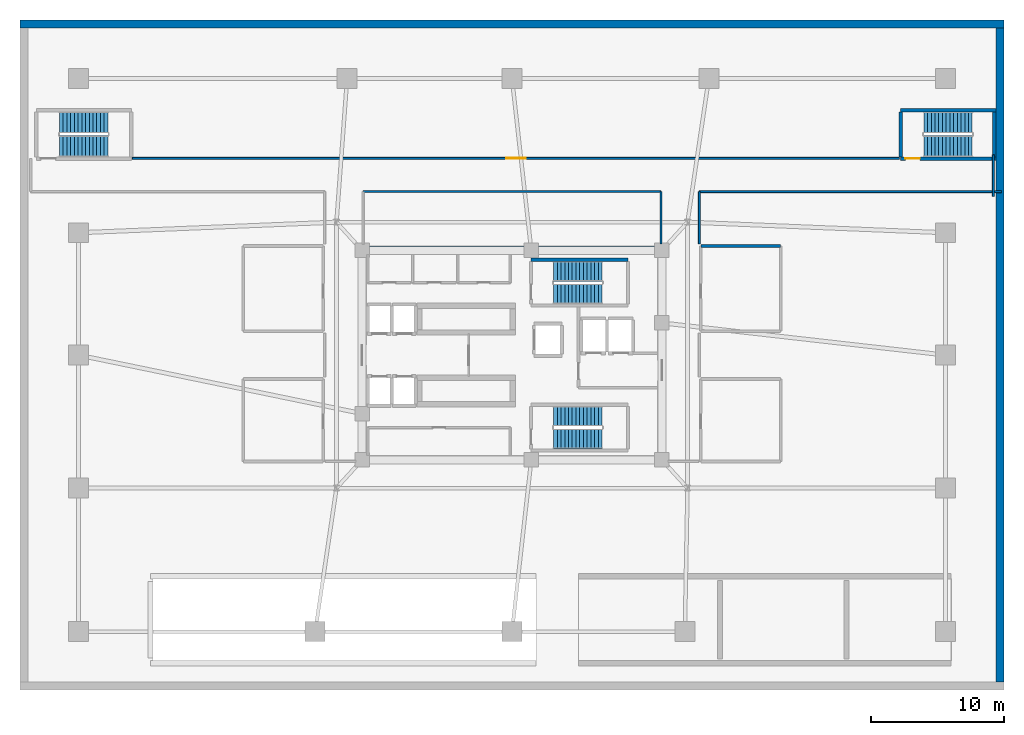
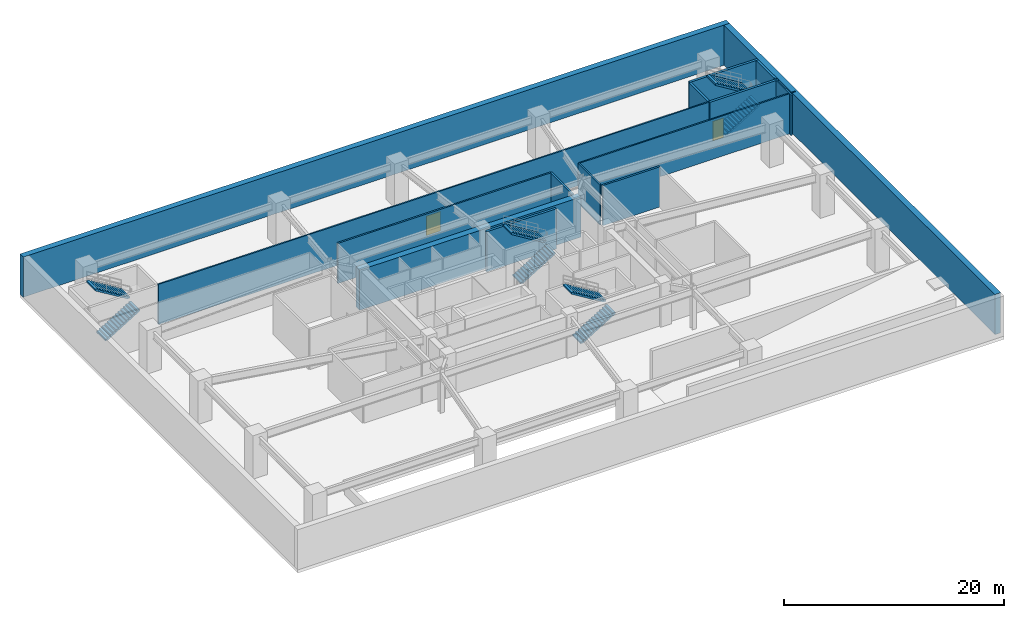
# One storey, part 5 of 7: 15 walls, 8 stair flights, 2 doors, 2 openings, 4 elements without a shape of their own.
"""IFC4 building model written with IfcOpenShell, lengths in metres."""

from ifc_helpers import new_model, si_unit, direction, frame, frame_2d, origin, place, context, subcontext, project, spatial, polyline, rectangle, outline, extrude, material, layer, layer_set, type_object, element, fill, aggregate, save


model = new_model("IFC4")

# Units and contexts
model_context = context("Model", 3, precision=1e-05, world=origin(), true_north=direction((0.0, 1.0)))
body_context = subcontext(model_context, "Body", "Model", "MODEL_VIEW")
ifc_project = project(units=[si_unit("LENGTHUNIT", "METRE"), si_unit("AREAUNIT", "SQUARE_METRE"), si_unit("VOLUMEUNIT", "CUBIC_METRE"), si_unit("PLANEANGLEUNIT", "RADIAN"), si_unit("MASSUNIT", "GRAM", prefix="KILO")], contexts=[model_context])

# Site, building, storey
site_placement = place(None, origin())
site = spatial("IfcSite", under=ifc_project, at=site_placement, CompositionType="ELEMENT")
building_placement = place(site_placement, origin())
building = spatial("IfcBuilding", under=site, at=building_placement, Name="Zulverin Broadcast Headquarters", CompositionType="ELEMENT")
storey_placement = place(building_placement, frame((0.0, 0.0, -4.800048828125)))
storey = spatial("IfcBuildingStorey", under=building, at=storey_placement, Name="B1", CompositionType="ELEMENT", Elevation=-4.800048828125)

# Walls
ifc_material_1 = material(Name="Concrete C60/75", Category="concrete")
ifc_layer_1 = layer(ifc_material_1, 0.64990234375, Name="Concrete C60/75", Category="concrete")
ifc_layer_set_1 = layer_set([ifc_layer_1], Name="Concrete C60/75")
wall_type_1 = type_object("IfcWallType", Name="WL-CORE-650", PredefinedType="SHEAR", material=ifc_layer_set_1)
wall_1_placement = place(storey_placement, frame((25.39990234375, 33.074951171875, 0.0), z_axis=(0.0, 0.0, 1.0), x_axis=(1.0, 0.0, 0.0)))
element("IfcWall", 1, at=wall_1_placement, inside=storey, type_object=wall_type_1, Name="B1 Core North Shear Wall", PredefinedType="SHEAR", context=body_context, shape_type="SweptSolid", body=[
    extrude(rectangle(XDim=23.2001953125, YDim=0.64990234375, at=frame_2d((11.60009765625, 0.0))), origin(), (0.0, 0.0, 1.0), 4.449951171875),
])
ifc_material_2 = material(Name="Concrete C40/50", Category="concrete")
ifc_layer_2 = layer(ifc_material_2, 0.199951171875, Name="Concrete C40/50", Category="concrete")
ifc_layer_set_2 = layer_set([ifc_layer_2], Name="Concrete C40/50")
wall_type_2 = type_object("IfcWallType", Name="WL-FFL-200", PredefinedType="SOLIDWALL", material=ifc_layer_set_2)
wall_2_placement = place(storey_placement, frame((51.199951171875, 33.39990234375, 0.0), z_axis=(0.0, 0.0, 1.0), x_axis=(1.0, 0.0, 0.0)))
element("IfcWall", 2, at=wall_2_placement, inside=storey, type_object=wall_type_2, Name="B1 Secure Bicycle & Broadcast Kit Store N Wall", PredefinedType="SOLIDWALL", context=body_context, shape_type="SweptSolid", body=[
    extrude(rectangle(XDim=6.0, YDim=0.199951171875, at=frame_2d((3.0, 0.0))), origin(), (0.0, 0.0, 1.0), 4.449951171875),
])
ifc_material_3 = material(Name="Fire-rated gypsum stud partition", Category="gypsum")
ifc_layer_3 = layer(ifc_material_3, 0.14990234375, Name="Fire-rated gypsum stud partition", Category="gypsum")
ifc_layer_set_3 = layer_set([ifc_layer_3], Name="Fire-rated gypsum stud partition")
wall_type_3 = type_object("IfcWallType", Name="WL-PART-150", PredefinedType="PARTITIONING", material=ifc_layer_set_3)
wall_3_placement = place(storey_placement, frame((73.199951171875, 37.139892578125, 0.0), z_axis=(0.0, 0.0, 1.0), x_axis=(0.0, 1.0, 0.0)))
element("IfcWall", 3, at=wall_3_placement, inside=storey, type_object=wall_type_3, Name="B1 Gallery Partition Wall CG-01", PredefinedType="PARTITIONING", context=body_context, shape_type="SweptSolid", body=[
    extrude(rectangle(XDim=3.110107421875, YDim=0.14990234375, at=frame_2d((1.55517578125, 0.0))), origin(), (0.0, 0.0, 1.0), 4.449951171875),
])
wall_4_placement = place(storey_placement, frame((51.10009765625, 33.56005859375, 0.0), z_axis=(0.0, 0.0, 1.0), x_axis=(0.0, 1.0, 0.0)))
element("IfcWall", 4, at=wall_4_placement, inside=storey, type_object=wall_type_3, Name="B1 Gallery Partition Wall CG-03", PredefinedType="PARTITIONING", context=body_context, shape_type="SweptSolid", body=[
    extrude(rectangle(XDim=3.93994140625, YDim=0.14990234375, at=frame_2d((1.969970703125, 0.0))), origin(), (0.0, 0.0, 1.0), 4.449951171875),
])
wall_5_placement = place(storey_placement, frame((51.10009765625, 37.5, 0.0), z_axis=(0.0, 0.0, 1.0), x_axis=(1.0, 0.0, 0.0)))
element("IfcWall", 5, at=wall_5_placement, inside=storey, type_object=wall_type_3, Name="B1 Gallery Partition Wall CG-13", PredefinedType="PARTITIONING", context=body_context, shape_type="SweptSolid", body=[
    extrude(rectangle(XDim=22.69482421875, YDim=0.14990234375, at=frame_2d((11.347412109375, 0.0))), origin(), (0.0, 0.0, 1.0), 4.449951171875),
])

# Wall, opening, door
wall_6_placement = place(storey_placement, frame((8.4599609375, 40.0, 0.0), z_axis=(0.0, 0.0, 1.0), x_axis=(1.0, 0.0, 0.0)))
wall_6 = element("IfcWall", 6, at=wall_6_placement, inside=storey, type_object=wall_type_3, Name="B1 Gallery Partition Wall CG-14", PredefinedType="PARTITIONING", context=body_context, shape_type="SweptSolid", body=[
    extrude(rectangle(XDim=57.679931640625, YDim=0.14990234375, at=frame_2d((28.83984375, 0.0))), origin(), (0.0, 0.0, 1.0), 4.449951171875),
])
opening_1_placement = place(wall_6_placement, frame((28.090087890625, 0.0, 0.0)))
opening_1 = element("IfcOpeningElement", 7, at=opening_1_placement, cuts=wall_6, Name="Opening D-B1-CP1", PredefinedType="OPENING", context=body_context, shape_type="SweptSolid", body=[
    extrude(rectangle(XDim=1.5, YDim=2.14990234375, at=frame_2d((0.75, 1.074951171875))), frame((0.0, 0.0849609375, 0.0), z_axis=(0.0, -1.0, 0.0), x_axis=(1.0, 0.0, 0.0)), (0.0, 0.0, 1.0), 0.169921875),
])
ifc_material_4 = material(Name="Fire-rated glazed steel frame", Category="steel")
door_type_1 = type_object("IfcDoorType", Name="DR-COR-1500", OperationType="DOUBLE_DOOR_SINGLE_SWING", PredefinedType="DOOR", material=ifc_material_4)
door_1_placement = place(opening_1_placement, origin())
door_1 = element("IfcDoor", 8, at=door_1_placement, inside=storey, type_object=door_type_1, Name="B1 Car Park Deck Lobby Door", OperationType="DOUBLE_DOOR_SINGLE_SWING", OverallHeight=2.14990234375, OverallWidth=1.5, PredefinedType="DOOR", context=body_context, shape_type="SweptSolid", body=[
    extrude(rectangle(XDim=1.5, YDim=2.14990234375, at=frame_2d((0.75, 1.074951171875))), frame((0.0, 0.02490234375, 0.0), z_axis=(0.0, -1.0, 0.0), x_axis=(1.0, 0.0, 0.0)), (0.0, 0.0, 1.0), 0.050048828125),
])
fill(opening_1, door_1)

# Walls
ifc_material_5 = material(Name="Fire-rated acoustic stud wall", Category="gypsum")
ifc_layer_4 = layer(ifc_material_5, 0.175048828125, Name="Fire-rated acoustic stud wall", Category="gypsum")
ifc_layer_set_4 = layer_set([ifc_layer_4], Name="Fire-rated acoustic stud wall")
wall_type_4 = type_object("IfcWallType", Name="WL-PART-175", PredefinedType="PARTITIONING", material=ifc_layer_set_4)
wall_7_placement = place(storey_placement, frame((48.199951171875, 33.5400390625, 0.0), z_axis=(0.0, 0.0, 1.0), x_axis=(0.0, 1.0, 0.0)))
element("IfcWall", 9, at=wall_7_placement, inside=storey, type_object=wall_type_4, Name="B1 Gallery Partition Wall CG-04", PredefinedType="PARTITIONING", context=body_context, shape_type="SweptSolid", body=[
    extrude(rectangle(XDim=3.9599609375, YDim=0.175048828125, at=frame_2d((1.97998046875, 0.0))), origin(), (0.0, 0.0, 1.0), 4.449951171875),
])
wall_8_placement = place(storey_placement, frame((25.800048828125, 37.5, 0.0), z_axis=(0.0, 0.0, 1.0), x_axis=(1.0, 0.0, 0.0)))
element("IfcWall", 10, at=wall_8_placement, inside=storey, type_object=wall_type_4, Name="B1 Gallery Partition Wall CG-12", PredefinedType="PARTITIONING", context=body_context, shape_type="SweptSolid", body=[
    extrude(rectangle(XDim=22.39990234375, YDim=0.175048828125, at=frame_2d((11.199951171875, 0.0))), origin(), (0.0, 0.0, 1.0), 4.449951171875),
])
ifc_layer_5 = layer(ifc_material_2, 0.60009765625, Name="Concrete C40/50", Category="concrete")
ifc_layer_set_5 = layer_set([ifc_layer_5], Name="Concrete C40/50")
wall_type_5 = type_object("IfcWallType", Name="WL-RET-600", PredefinedType="SOLIDWALL", material=ifc_layer_set_5)
wall_9_placement = place(storey_placement, frame((0.0, 50.10009765625, 0.0), z_axis=(0.0, 0.0, 1.0), x_axis=(1.0, 0.0, 0.0)))
element("IfcWall", 11, at=wall_9_placement, inside=storey, type_object=wall_type_5, Name="B1 Basement Retaining Wall N", PredefinedType="SOLIDWALL", context=body_context, shape_type="SweptSolid", body=[
    extrude(rectangle(XDim=74.0, YDim=0.60009765625, at=frame_2d((37.0, 0.0))), origin(), (0.0, 0.0, 1.0), 4.449951171875),
])
wall_10_placement = place(storey_placement, frame((73.699951171875, 0.60009765625, 0.0), z_axis=(0.0, 0.0, 1.0), x_axis=(0.0, 1.0, 0.0)))
element("IfcWall", 12, at=wall_10_placement, inside=storey, type_object=wall_type_5, Name="B1 Basement Retaining Wall E", PredefinedType="SOLIDWALL", context=body_context, shape_type="SweptSolid", body=[
    extrude(rectangle(XDim=49.199951171875, YDim=0.60009765625, at=frame_2d((24.60009765625, 0.0))), origin(), (0.0, 0.0, 1.0), 4.449951171875),
])
ifc_material_6 = material(Name="Concrete C50/60", Category="concrete")
ifc_layer_6 = layer(ifc_material_6, 0.25, Name="Concrete C50/60", Category="concrete")
ifc_layer_set_6 = layer_set([ifc_layer_6], Name="Concrete C50/60")
wall_type_6 = type_object("IfcWallType", Name="WL-SHAFT-250", PredefinedType="SHEAR", material=ifc_layer_set_6)
wall_11_placement = place(storey_placement, frame((38.425048828125, 32.375, 0.0), z_axis=(0.0, 0.0, 1.0), x_axis=(1.0, 0.0, 0.0)))
element("IfcWall", 13, at=wall_11_placement, inside=storey, type_object=wall_type_6, Name="B1 ST-1 Enclosure Wall N", PredefinedType="SHEAR", context=body_context, shape_type="SweptSolid", body=[
    extrude(rectangle(XDim=7.300048828125, YDim=0.25, at=frame_2d((3.64990234375, 0.0))), origin(), (0.0, 0.0, 1.0), 4.449951171875),
])

# Wall, opening, door
wall_12_placement = place(storey_placement, frame((66.22509765625, 39.97509765625, 0.0), z_axis=(0.0, 0.0, 1.0), x_axis=(1.0, 0.0, 0.0)))
wall_12 = element("IfcWall", 14, at=wall_12_placement, inside=storey, type_object=wall_type_6, Name="B1 ST-4 Enclosure Wall S", PredefinedType="SHEAR", context=body_context, shape_type="SweptSolid", body=[
    extrude(rectangle(XDim=7.1748046875, YDim=0.25, at=frame_2d((3.58740234375, 0.0))), origin(), (0.0, 0.0, 1.0), 4.449951171875),
])
opening_2_placement = place(wall_12_placement, frame((0.35009765625, 0.0, 0.0)))
opening_2 = element("IfcOpeningElement", 15, at=opening_2_placement, cuts=wall_12, Name="Opening D-B1-ST-4", PredefinedType="OPENING", context=body_context, shape_type="SweptSolid", body=[
    extrude(rectangle(XDim=1.10009765625, YDim=2.14990234375, at=frame_2d((0.550048828125, 1.074951171875))), frame((0.0, 0.135009765625, 0.0), z_axis=(0.0, -1.0, 0.0), x_axis=(1.0, 0.0, 0.0)), (0.0, 0.0, 1.0), 0.27001953125),
])
ifc_material_7 = material(Name="Fire-rated steel leaf and frame", Category="steel")
door_type_2 = type_object("IfcDoorType", Name="DR-STAIR-1100", OperationType="SINGLE_SWING_LEFT", PredefinedType="DOOR", material=ifc_material_7)
door_2_placement = place(opening_2_placement, origin())
door_2 = element("IfcDoor", 16, at=door_2_placement, inside=storey, type_object=door_type_2, Name="B1 Exit Stair ST-4 Fire Door", OperationType="SINGLE_SWING_RIGHT", OverallHeight=2.14990234375, OverallWidth=1.10009765625, PredefinedType="DOOR", context=body_context, shape_type="SweptSolid", body=[
    extrude(rectangle(XDim=1.10009765625, YDim=2.14990234375, at=frame_2d((0.550048828125, 1.074951171875))), frame((0.0, 0.02490234375, 0.0), z_axis=(0.0, -1.0, 0.0), x_axis=(1.0, 0.0, 0.0)), (0.0, 0.0, 1.0), 0.050048828125),
])
fill(opening_2, door_2)

# Walls
wall_13_placement = place(storey_placement, frame((66.22509765625, 43.625, 0.0), z_axis=(0.0, 0.0, 1.0), x_axis=(1.0, 0.0, 0.0)))
element("IfcWall", 17, at=wall_13_placement, inside=storey, type_object=wall_type_6, Name="B1 ST-4 Enclosure Wall N", PredefinedType="SHEAR", context=body_context, shape_type="SweptSolid", body=[
    extrude(rectangle(XDim=7.1748046875, YDim=0.25, at=frame_2d((3.58740234375, 0.0))), origin(), (0.0, 0.0, 1.0), 4.449951171875),
])
for number, where, z_axis, x_axis, name in (
    (18, (66.22509765625, 40.10009765625, 0.0), (0.0, 0.0, 1.0), (0.0, 1.0, 0.0), "B1 ST-4 Enclosure Wall W"),
    (19, (73.27490234375, 40.10009765625, 0.0), (0.0, 0.0, 1.0), (0.0, 1.0, 0.0), "B1 ST-4 Enclosure Wall E"),
):
    element("IfcWall", number, at=place(storey_placement, frame(where, z_axis=z_axis, x_axis=x_axis)), inside=storey, type_object=wall_type_6, Name=name, PredefinedType="SHEAR", context=body_context, shape_type="SweptSolid", body=[
        extrude(rectangle(XDim=3.39990234375, YDim=0.25, at=frame_2d((1.699951171875, 0.0))), origin(), (0.0, 0.0, 1.0), 4.449951171875),
    ])

# Stair, stair flights
stair_type_1 = type_object("IfcStairType", Name="ST-CORE-1500", PredefinedType="HALF_TURN_STAIR", material=ifc_material_2)
stair_1_placement = place(storey_placement, origin())
stair_1 = element("IfcStair", 20, at=stair_1_placement, inside=storey, type_object=stair_type_1, Name="B1 Core Exit Stair ST-1", PredefinedType="HALF_TURN_STAIR")
stair_flight_type_1 = type_object("IfcStairFlightType", Name="SF-CORE-1500", PredefinedType="STRAIGHT", material=ifc_material_2)
stair_flight_1_placement = place(storey_placement, frame((40.1298828125, 29.800048828125, 0.0), z_axis=(0.0, 0.0, 1.0), x_axis=(1.0, 0.0, 0.0)))
stair_flight_1 = element("IfcStairFlight", 21, at=stair_flight_1_placement, type_object=stair_flight_type_1, Name="ST-1 flight 1", NumberOfRisers=14, NumberOfTreads=13, PredefinedType="STRAIGHT", RiserHeight=0.171428571, TreadLength=0.28, context=body_context, shape_type="SweptSolid", body=[
    extrude(outline(polyline([(0.0, 0.0), (0.0, 0.17138671875), (0.280029296875, 0.17138671875), (0.280029296875, 0.3427734375), (0.56005859375, 0.3427734375), (0.56005859375, 0.514404296875), (0.840087890625, 0.514404296875), (0.840087890625, 0.685791015625), (1.1201171875, 0.685791015625), (1.1201171875, 0.857177734375), (1.39990234375, 0.857177734375), (1.39990234375, 1.028564453125), (1.679931640625, 1.028564453125), (1.679931640625, 1.199951171875), (1.9599609375, 1.199951171875), (1.9599609375, 1.371337890625), (2.239990234375, 1.371337890625), (2.239990234375, 1.54296875), (2.52001953125, 1.54296875), (2.52001953125, 1.71435546875), (2.800048828125, 1.71435546875), (2.800048828125, 1.8857421875), (3.080078125, 1.8857421875), (3.080078125, 2.05712890625), (3.360107421875, 2.05712890625), (3.360107421875, 2.228515625), (3.639892578125, 2.228515625), (3.639892578125, 2.39990234375), (3.639892578125, 2.052734375), (0.287109375, 0.0), (0.0, 0.0)])), frame((0.0, 0.75, 0.0), z_axis=(0.0, -1.0, 0.0), x_axis=(1.0, 0.0, 0.0)), (0.0, 0.0, 1.0), 1.5),
])
stair_flight_2_placement = place(storey_placement, frame((43.77001953125, 31.5, 2.400146484375), z_axis=(0.0, 0.0, 1.0), x_axis=(-1.0, 0.0, 0.0)))
stair_flight_2 = element("IfcStairFlight", 22, at=stair_flight_2_placement, type_object=stair_flight_type_1, Name="ST-1 flight 2", NumberOfRisers=14, NumberOfTreads=13, PredefinedType="STRAIGHT", RiserHeight=0.171428571, TreadLength=0.28, context=body_context, shape_type="SweptSolid", body=[
    extrude(outline(polyline([(0.0, 0.0), (0.0, 0.17138671875), (0.280029296875, 0.17138671875), (0.280029296875, 0.3427734375), (0.56005859375, 0.3427734375), (0.56005859375, 0.514404296875), (0.840087890625, 0.514404296875), (0.840087890625, 0.685791015625), (1.1201171875, 0.685791015625), (1.1201171875, 0.857177734375), (1.39990234375, 0.857177734375), (1.39990234375, 1.028564453125), (1.679931640625, 1.028564453125), (1.679931640625, 1.199951171875), (1.9599609375, 1.199951171875), (1.9599609375, 1.371337890625), (2.239990234375, 1.371337890625), (2.239990234375, 1.54296875), (2.52001953125, 1.54296875), (2.52001953125, 1.71435546875), (2.800048828125, 1.71435546875), (2.800048828125, 1.8857421875), (3.080078125, 1.8857421875), (3.080078125, 2.05712890625), (3.360107421875, 2.05712890625), (3.360107421875, 2.228515625), (3.639892578125, 2.228515625), (3.639892578125, 2.39990234375), (3.639892578125, 2.052734375), (0.287109375, 0.0), (0.0, 0.0)])), frame((0.0, 0.75, 0.0), z_axis=(0.0, -1.0, 0.0), x_axis=(1.0, 0.0, 0.0)), (0.0, 0.0, 1.0), 1.5),
])
aggregate(stair_1, [stair_flight_1, stair_flight_2])

stair_2_placement = place(storey_placement, origin())
stair_2 = element("IfcStair", 23, at=stair_2_placement, inside=storey, type_object=stair_type_1, Name="B1 Core Exit Stair ST-2", PredefinedType="HALF_TURN_STAIR")
stair_flight_3_placement = place(storey_placement, frame((40.1298828125, 18.89990234375, 0.0), z_axis=(0.0, 0.0, 1.0), x_axis=(1.0, 0.0, 0.0)))
stair_flight_3 = element("IfcStairFlight", 24, at=stair_flight_3_placement, type_object=stair_flight_type_1, Name="ST-2 flight 1", NumberOfRisers=14, NumberOfTreads=13, PredefinedType="STRAIGHT", RiserHeight=0.171428571, TreadLength=0.28, context=body_context, shape_type="SweptSolid", body=[
    extrude(outline(polyline([(0.0, 0.0), (0.0, 0.17138671875), (0.280029296875, 0.17138671875), (0.280029296875, 0.3427734375), (0.56005859375, 0.3427734375), (0.56005859375, 0.514404296875), (0.840087890625, 0.514404296875), (0.840087890625, 0.685791015625), (1.1201171875, 0.685791015625), (1.1201171875, 0.857177734375), (1.39990234375, 0.857177734375), (1.39990234375, 1.028564453125), (1.679931640625, 1.028564453125), (1.679931640625, 1.199951171875), (1.9599609375, 1.199951171875), (1.9599609375, 1.371337890625), (2.239990234375, 1.371337890625), (2.239990234375, 1.54296875), (2.52001953125, 1.54296875), (2.52001953125, 1.71435546875), (2.800048828125, 1.71435546875), (2.800048828125, 1.8857421875), (3.080078125, 1.8857421875), (3.080078125, 2.05712890625), (3.360107421875, 2.05712890625), (3.360107421875, 2.228515625), (3.639892578125, 2.228515625), (3.639892578125, 2.39990234375), (3.639892578125, 2.052734375), (0.287109375, 0.0), (0.0, 0.0)])), frame((0.0, 0.75, 0.0), z_axis=(0.0, -1.0, 0.0), x_axis=(1.0, 0.0, 0.0)), (0.0, 0.0, 1.0), 1.5),
])
stair_flight_4_placement = place(storey_placement, frame((43.77001953125, 20.60009765625, 2.400146484375), z_axis=(0.0, 0.0, 1.0), x_axis=(-1.0, 0.0, 0.0)))
stair_flight_4 = element("IfcStairFlight", 25, at=stair_flight_4_placement, type_object=stair_flight_type_1, Name="ST-2 flight 2", NumberOfRisers=14, NumberOfTreads=13, PredefinedType="STRAIGHT", RiserHeight=0.171428571, TreadLength=0.28, context=body_context, shape_type="SweptSolid", body=[
    extrude(outline(polyline([(0.0, 0.0), (0.0, 0.17138671875), (0.280029296875, 0.17138671875), (0.280029296875, 0.3427734375), (0.56005859375, 0.3427734375), (0.56005859375, 0.514404296875), (0.840087890625, 0.514404296875), (0.840087890625, 0.685791015625), (1.1201171875, 0.685791015625), (1.1201171875, 0.857177734375), (1.39990234375, 0.857177734375), (1.39990234375, 1.028564453125), (1.679931640625, 1.028564453125), (1.679931640625, 1.199951171875), (1.9599609375, 1.199951171875), (1.9599609375, 1.371337890625), (2.239990234375, 1.371337890625), (2.239990234375, 1.54296875), (2.52001953125, 1.54296875), (2.52001953125, 1.71435546875), (2.800048828125, 1.71435546875), (2.800048828125, 1.8857421875), (3.080078125, 1.8857421875), (3.080078125, 2.05712890625), (3.360107421875, 2.05712890625), (3.360107421875, 2.228515625), (3.639892578125, 2.228515625), (3.639892578125, 2.39990234375), (3.639892578125, 2.052734375), (0.287109375, 0.0), (0.0, 0.0)])), frame((0.0, 0.75, 0.0), z_axis=(0.0, -1.0, 0.0), x_axis=(1.0, 0.0, 0.0)), (0.0, 0.0, 1.0), 1.5),
])
aggregate(stair_2, [stair_flight_3, stair_flight_4])

stair_type_2 = type_object("IfcStairType", Name="ST-POD-1600", PredefinedType="HALF_TURN_STAIR", material=ifc_material_2)
stair_3_placement = place(storey_placement, origin())
stair_3 = element("IfcStair", 26, at=stair_3_placement, inside=storey, type_object=stair_type_2, Name="B1 Podium Exit Stair ST-3", PredefinedType="HALF_TURN_STAIR")
stair_flight_type_2 = type_object("IfcStairFlightType", Name="SF-POD-1600", PredefinedType="STRAIGHT", material=ifc_material_2)
stair_flight_5_placement = place(storey_placement, frame((2.969970703125, 40.89990234375, 0.0), z_axis=(0.0, 0.0, 1.0), x_axis=(1.0, 0.0, 0.0)))
stair_flight_5 = element("IfcStairFlight", 27, at=stair_flight_5_placement, type_object=stair_flight_type_2, Name="ST-3 flight 1", NumberOfRisers=14, NumberOfTreads=13, PredefinedType="STRAIGHT", RiserHeight=0.171428571, TreadLength=0.28, context=body_context, shape_type="SweptSolid", body=[
    extrude(outline(polyline([(0.0, 0.0), (0.0, 0.17138671875), (0.280029296875, 0.17138671875), (0.280029296875, 0.3427734375), (0.56005859375, 0.3427734375), (0.56005859375, 0.514404296875), (0.840087890625, 0.514404296875), (0.840087890625, 0.685791015625), (1.1201171875, 0.685791015625), (1.1201171875, 0.857177734375), (1.39990234375, 0.857177734375), (1.39990234375, 1.028564453125), (1.679931640625, 1.028564453125), (1.679931640625, 1.199951171875), (1.9599609375, 1.199951171875), (1.9599609375, 1.371337890625), (2.239990234375, 1.371337890625), (2.239990234375, 1.54296875), (2.52001953125, 1.54296875), (2.52001953125, 1.71435546875), (2.800048828125, 1.71435546875), (2.800048828125, 1.8857421875), (3.080078125, 1.8857421875), (3.080078125, 2.05712890625), (3.360107421875, 2.05712890625), (3.360107421875, 2.228515625), (3.639892578125, 2.228515625), (3.639892578125, 2.39990234375), (3.639892578125, 2.052734375), (0.287109375, 0.0), (0.0, 0.0)])), frame((0.0, 0.800048828125, 0.0), z_axis=(0.0, -1.0, 0.0), x_axis=(1.0, 0.0, 0.0)), (0.0, 0.0, 1.0), 1.60009765625),
])
stair_flight_6_placement = place(storey_placement, frame((6.610107421875, 42.699951171875, 2.400146484375), z_axis=(0.0, 0.0, 1.0), x_axis=(-1.0, 0.0, 0.0)))
stair_flight_6 = element("IfcStairFlight", 28, at=stair_flight_6_placement, type_object=stair_flight_type_2, Name="ST-3 flight 2", NumberOfRisers=14, NumberOfTreads=13, PredefinedType="STRAIGHT", RiserHeight=0.171428571, TreadLength=0.28, context=body_context, shape_type="SweptSolid", body=[
    extrude(outline(polyline([(0.0, 0.0), (0.0, 0.17138671875), (0.280029296875, 0.17138671875), (0.280029296875, 0.3427734375), (0.56005859375, 0.3427734375), (0.56005859375, 0.514404296875), (0.840087890625, 0.514404296875), (0.840087890625, 0.685791015625), (1.1201171875, 0.685791015625), (1.1201171875, 0.857177734375), (1.39990234375, 0.857177734375), (1.39990234375, 1.028564453125), (1.679931640625, 1.028564453125), (1.679931640625, 1.199951171875), (1.9599609375, 1.199951171875), (1.9599609375, 1.371337890625), (2.239990234375, 1.371337890625), (2.239990234375, 1.54296875), (2.52001953125, 1.54296875), (2.52001953125, 1.71435546875), (2.800048828125, 1.71435546875), (2.800048828125, 1.8857421875), (3.080078125, 1.8857421875), (3.080078125, 2.05712890625), (3.360107421875, 2.05712890625), (3.360107421875, 2.228515625), (3.639892578125, 2.228515625), (3.639892578125, 2.39990234375), (3.639892578125, 2.052734375), (0.287109375, 0.0), (0.0, 0.0)])), frame((0.0, 0.800048828125, 0.0), z_axis=(0.0, -1.0, 0.0), x_axis=(1.0, 0.0, 0.0)), (0.0, 0.0, 1.0), 1.60009765625),
])
aggregate(stair_3, [stair_flight_5, stair_flight_6])

stair_4_placement = place(storey_placement, origin())
stair_4 = element("IfcStair", 29, at=stair_4_placement, inside=storey, type_object=stair_type_2, Name="B1 Podium Exit Stair ST-4", PredefinedType="HALF_TURN_STAIR")
stair_flight_7_placement = place(storey_placement, frame((67.969970703125, 40.89990234375, 0.0), z_axis=(0.0, 0.0, 1.0), x_axis=(1.0, 0.0, 0.0)))
stair_flight_7 = element("IfcStairFlight", 30, at=stair_flight_7_placement, type_object=stair_flight_type_2, Name="ST-4 flight 1", NumberOfRisers=14, NumberOfTreads=13, PredefinedType="STRAIGHT", RiserHeight=0.171428571, TreadLength=0.28, context=body_context, shape_type="SweptSolid", body=[
    extrude(outline(polyline([(0.0, 0.0), (0.0, 0.17138671875), (0.280029296875, 0.17138671875), (0.280029296875, 0.3427734375), (0.56005859375, 0.3427734375), (0.56005859375, 0.514404296875), (0.840087890625, 0.514404296875), (0.840087890625, 0.685791015625), (1.1201171875, 0.685791015625), (1.1201171875, 0.857177734375), (1.39990234375, 0.857177734375), (1.39990234375, 1.028564453125), (1.679931640625, 1.028564453125), (1.679931640625, 1.199951171875), (1.9599609375, 1.199951171875), (1.9599609375, 1.371337890625), (2.239990234375, 1.371337890625), (2.239990234375, 1.54296875), (2.52001953125, 1.54296875), (2.52001953125, 1.71435546875), (2.800048828125, 1.71435546875), (2.800048828125, 1.8857421875), (3.080078125, 1.8857421875), (3.080078125, 2.05712890625), (3.360107421875, 2.05712890625), (3.360107421875, 2.228515625), (3.639892578125, 2.228515625), (3.639892578125, 2.39990234375), (3.639892578125, 2.052734375), (0.287109375, 0.0), (0.0, 0.0)])), frame((0.0, 0.800048828125, 0.0), z_axis=(0.0, -1.0, 0.0), x_axis=(1.0, 0.0, 0.0)), (0.0, 0.0, 1.0), 1.60009765625),
])
stair_flight_8_placement = place(storey_placement, frame((71.610107421875, 42.699951171875, 2.400146484375), z_axis=(0.0, 0.0, 1.0), x_axis=(-1.0, 0.0, 0.0)))
stair_flight_8 = element("IfcStairFlight", 31, at=stair_flight_8_placement, type_object=stair_flight_type_2, Name="ST-4 flight 2", NumberOfRisers=14, NumberOfTreads=13, PredefinedType="STRAIGHT", RiserHeight=0.171428571, TreadLength=0.28, context=body_context, shape_type="SweptSolid", body=[
    extrude(outline(polyline([(0.0, 0.0), (0.0, 0.17138671875), (0.280029296875, 0.17138671875), (0.280029296875, 0.3427734375), (0.56005859375, 0.3427734375), (0.56005859375, 0.514404296875), (0.840087890625, 0.514404296875), (0.840087890625, 0.685791015625), (1.1201171875, 0.685791015625), (1.1201171875, 0.857177734375), (1.39990234375, 0.857177734375), (1.39990234375, 1.028564453125), (1.679931640625, 1.028564453125), (1.679931640625, 1.199951171875), (1.9599609375, 1.199951171875), (1.9599609375, 1.371337890625), (2.239990234375, 1.371337890625), (2.239990234375, 1.54296875), (2.52001953125, 1.54296875), (2.52001953125, 1.71435546875), (2.800048828125, 1.71435546875), (2.800048828125, 1.8857421875), (3.080078125, 1.8857421875), (3.080078125, 2.05712890625), (3.360107421875, 2.05712890625), (3.360107421875, 2.228515625), (3.639892578125, 2.228515625), (3.639892578125, 2.39990234375), (3.639892578125, 2.052734375), (0.287109375, 0.0), (0.0, 0.0)])), frame((0.0, 0.800048828125, 0.0), z_axis=(0.0, -1.0, 0.0), x_axis=(1.0, 0.0, 0.0)), (0.0, 0.0, 1.0), 1.60009765625),
])
aggregate(stair_4, [stair_flight_7, stair_flight_8])

save(model, "model.ifc")
